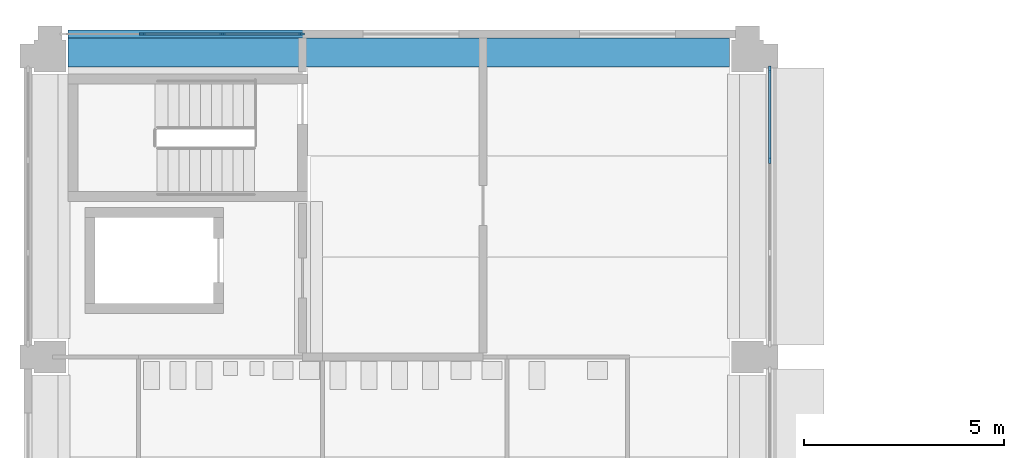
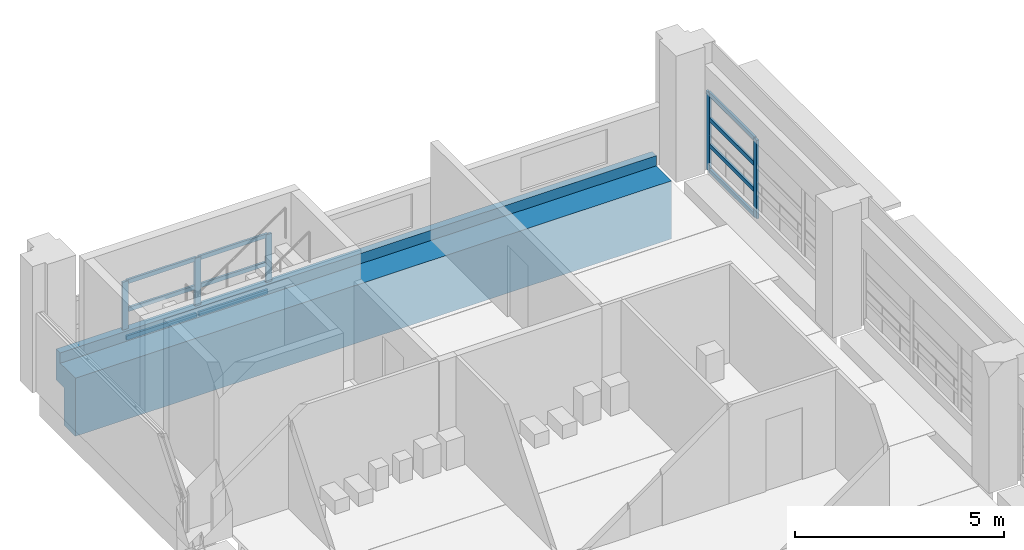
# One storey, part 13 of 61: 15 members, 1 beam, 2 elements without a shape of their own.
"""IFC4 building model written with IfcOpenShell, lengths in metres."""

import ifcopenshell
import ifcopenshell.guid

model = None  # the IFC model being written
_history = None  # IfcOwnerHistory: only IFC2X3 demands one
_inside = {}  # id of a spatial element -> (the spatial element, [elements in it])
_under = {}  # id of a project, library or spatial element -> (it, [spatial elements below it])
_declared = {}  # id of a project -> (the project, [libraries it declares])
_typed = {}  # id of a type object -> (the type object, [elements of that type])
_made_of = {}  # id of a material, layer set ... -> (it, [elements and type objects made of it])


def new_model(schema):
    """Start an empty IFC model of exactly this schema.

    Asked for "IFC4X3", IfcOpenShell would pick the latest addendum, in which some entities
    have other attributes; the version numbers below select the first issue.
    IFC2X3 requires an IfcOwnerHistory on every rooted entity: one is made here for all.
    """
    global model, _history
    if schema == "IFC4X3":
        model = ifcopenshell.file(schema_version=(4, 3, 0, 0))
    else:
        model = ifcopenshell.file(schema=schema)
    _inside.clear()
    _under.clear()
    _declared.clear()
    _typed.clear()
    _made_of.clear()
    _history = None
    if model.schema == "IFC2X3":
        org = make("IfcOrganization", Name="unknown")
        user = make(
            "IfcPersonAndOrganization",
            ThePerson=make("IfcPerson", FamilyName="unknown"),
            TheOrganization=org,
        )
        app = make(
            "IfcApplication",
            ApplicationDeveloper=org,
            Version="unknown",
            ApplicationFullName="unknown",
            ApplicationIdentifier="unknown",
        )
        _history = make(
            "IfcOwnerHistory",
            OwningUser=user,
            OwningApplication=app,
            ChangeAction="ADDED",
            CreationDate=0,
        )
    return model


def make(cls, **values):
    """One entity of the class cls with the attributes given. An attribute that is None is left unset."""
    return model.create_entity(
        cls, **{name: value for name, value in values.items() if value is not None}
    )


def rooted(cls, **values):
    """An entity with a GlobalId (a new one), such as an element, a storey or a relation."""
    return make(cls, GlobalId=ifcopenshell.guid.new(), OwnerHistory=_history, **values)


def si_unit(unit_type, name, prefix=None):
    """IfcSIUnit, for example si_unit("LENGTHUNIT", "METRE", prefix="MILLI")."""
    return make("IfcSIUnit", UnitType=unit_type, Prefix=prefix, Name=name)


def assignment(units):
    """IfcUnitAssignment: the units of a project."""
    return None if units is None else make("IfcUnitAssignment", Units=units)


def point(xyz):
    """IfcCartesianPoint."""
    return None if xyz is None else make("IfcCartesianPoint", Coordinates=xyz)


def direction(xyz):
    """IfcDirection."""
    return None if xyz is None else make("IfcDirection", DirectionRatios=xyz)


def frame(location, z_axis=None, x_axis=None):
    """IfcAxis2Placement3D, a coordinate frame: its origin and axes. An axis left out is left unset."""
    return make(
        "IfcAxis2Placement3D",
        Location=point(location),
        Axis=direction(z_axis),
        RefDirection=direction(x_axis),
    )


def frame_2d(location, x_axis=None):
    """IfcAxis2Placement2D, a coordinate frame in the plane: its origin and x axis."""
    return make(
        "IfcAxis2Placement2D", Location=point(location), RefDirection=direction(x_axis)
    )


def origin():
    """The frame at (0, 0, 0) with its axes left unset."""
    return frame((0.0, 0.0, 0.0))


def origin_2d():
    """The frame at (0, 0) in the plane with its x axis left unset."""
    return frame_2d((0.0, 0.0))


def place(relative_to, where):
    """IfcLocalPlacement: puts the frame where relative to a parent placement (None: the world)."""
    return make(
        "IfcLocalPlacement", PlacementRelTo=relative_to, RelativePlacement=where
    )


def context(
    kind, dimensions, precision=None, world=None, true_north=None, identifier=None
):
    """IfcGeometricRepresentationContext, for example the 3D "Model" context."""
    return make(
        "IfcGeometricRepresentationContext",
        ContextIdentifier=identifier,
        ContextType=kind,
        CoordinateSpaceDimension=dimensions,
        Precision=precision,
        WorldCoordinateSystem=world,
        TrueNorth=true_north,
    )


def subcontext(parent, identifier, kind, view, scale=None):
    """IfcGeometricRepresentationSubContext, for example "Body" below "Model"."""
    return make(
        "IfcGeometricRepresentationSubContext",
        ContextIdentifier=identifier,
        ContextType=kind,
        ParentContext=parent,
        TargetScale=scale,
        TargetView=view,
    )


def project(units=None, contexts=None):
    """IfcProject with its units and contexts."""
    return rooted(
        "IfcProject",
        Name="project",
        RepresentationContexts=contexts,
        UnitsInContext=assignment(units),
    )


def spatial(cls, under=None, at=None, **own):
    """A site, building, storey or space (cls), placed at a placement, below another one or the project."""
    s = rooted(cls, ObjectPlacement=at, **own)
    if under is not None:
        _under.setdefault(under.id(), (under, []))[1].append(s)
    return s


def polyline(points):
    """IfcPolyline through the points."""
    return make("IfcPolyline", Points=[point(p) for p in points])


def profile(cls, at=None, kind="AREA", **sizes):
    """A parametric profile (cls). Its sizes go by their IFC names, for example OverallWidth=200.0."""
    return make(cls, ProfileType=kind, Position=at, **sizes)


def rectangle(**sizes):
    """IfcRectangleProfileDef."""
    return profile("IfcRectangleProfileDef", **sizes)


def outline(outer, holes=None, kind="AREA"):
    """IfcArbitraryClosedProfileDef: a profile drawn as a closed curve; with holes, ...WithVoids."""
    if holes is None:
        return make("IfcArbitraryClosedProfileDef", ProfileType=kind, OuterCurve=outer)
    return make(
        "IfcArbitraryProfileDefWithVoids",
        ProfileType=kind,
        OuterCurve=outer,
        InnerCurves=holes,
    )


def extrude(swept, where, along, depth):
    """IfcExtrudedAreaSolid: the profile swept, set in the frame where, extruded along a direction by depth."""
    return make(
        "IfcExtrudedAreaSolid",
        SweptArea=swept,
        Position=where,
        ExtrudedDirection=direction(along),
        Depth=depth,
    )


def shape(context_of_items, identifier, shape_type, items):
    """IfcShapeRepresentation: the items that make up one representation, for example the "Body"."""
    return make(
        "IfcShapeRepresentation",
        ContextOfItems=context_of_items,
        RepresentationIdentifier=identifier,
        RepresentationType=shape_type,
        Items=items,
    )


def material(Name=None, Category=None):
    """IfcMaterial."""
    return make("IfcMaterial", Name=Name, Category=Category)


def layer(
    of_material, thickness, ventilated=None, Name=None, Category=None, Priority=None
):
    """IfcMaterialLayer: one layer of a wall or slab, of a material (None: an air gap)."""
    return make(
        "IfcMaterialLayer",
        Material=of_material,
        LayerThickness=thickness,
        IsVentilated=ventilated,
        Name=Name,
        Category=Category,
        Priority=Priority,
    )


def layer_set(layers, Name=None):
    """IfcMaterialLayerSet."""
    return make("IfcMaterialLayerSet", MaterialLayers=layers, LayerSetName=Name)


def material_profile(
    of_material, cross_section, Name=None, Category=None, Priority=None
):
    """IfcMaterialProfile: a cross section and its material."""
    return make(
        "IfcMaterialProfile",
        Name=Name,
        Material=of_material,
        Profile=cross_section,
        Priority=Priority,
        Category=Category,
    )


def profile_set(profiles, Name=None, composite=None):
    """IfcMaterialProfileSet."""
    return make(
        "IfcMaterialProfileSet",
        Name=Name,
        MaterialProfiles=profiles,
        CompositeProfile=composite,
    )


def made_of(thing, what):
    """Note that an element or type object is made of a material, layer set ...; save() writes the relation."""
    if what is not None:
        _made_of.setdefault(what.id(), (what, []))[1].append(thing)
    return thing


def type_object(cls, material=None, **own):
    """A type object (cls), such as IfcWallType, which elements share."""
    return made_of(rooted(cls, **own), material)


def element(
    cls,
    number,
    at=None,
    inside=None,
    cuts=None,
    type_object=None,
    material=None,
    context=None,
    identifier="Body",
    shape_type=None,
    held_by="IfcProductDefinitionShape",
    body=None,
    shapes=None,
    **own,
):
    """One element of the class cls, such as IfcWall. Its Tag is "e" and its number.

    at: its placement. inside: the storey or other place that contains it. cuts: it is an
    opening in that element (IfcRelVoidsElement). A single representation is given by context,
    identifier, shape_type and body (its items); several are given by shapes. held_by: the class
    of the entity that holds the representations. save() writes the other relations.
    """
    e = rooted(cls, Tag="e%d" % number, ObjectPlacement=at, **own)
    if body is not None:
        shapes = [shape(context, identifier, shape_type, body)]
    if shapes is not None:
        e.Representation = make(held_by, Representations=shapes)
    if inside is not None:
        _inside.setdefault(inside.id(), (inside, []))[1].append(e)
    if cuts is not None:
        rooted(
            "IfcRelVoidsElement", RelatingBuildingElement=cuts, RelatedOpeningElement=e
        )
    if type_object is not None:
        _typed.setdefault(type_object.id(), (type_object, []))[1].append(e)
    return made_of(e, material)


def aggregate(whole, parts):
    """IfcRelAggregates: a whole, such as a stair, and the parts it consists of."""
    return rooted("IfcRelAggregates", RelatingObject=whole, RelatedObjects=parts)


def save(model, path):
    """Write the relations noted so far, then the file.

    IfcRelAggregates (storeys below a building ...), IfcRelContainedInSpatialStructure (elements
    in a storey), IfcRelDefinesByType, IfcRelAssociatesMaterial and IfcRelDeclares: one each for
    every whole, place, type object, material and project.
    """
    for whole, parts in _under.values():
        aggregate(whole, parts)
    for where, things in _inside.values():
        rooted(
            "IfcRelContainedInSpatialStructure",
            RelatedElements=things,
            RelatingStructure=where,
        )
    for kind, things in _typed.values():
        rooted("IfcRelDefinesByType", RelatedObjects=things, RelatingType=kind)
    for what, things in _made_of.values():
        rooted("IfcRelAssociatesMaterial", RelatedObjects=things, RelatingMaterial=what)
    for by, libraries in _declared.values():
        rooted("IfcRelDeclares", RelatingContext=by, RelatedDefinitions=libraries)
    model.write(path)


model = new_model("IFC4")

# Units and contexts
model_context = context("Model", 3, precision=1e-05, world=origin(), true_north=direction((0.0, 1.0)))
body_context = subcontext(model_context, "Body", "Model", "MODEL_VIEW")
ifc_project = project(units=[si_unit("LENGTHUNIT", "METRE"), si_unit("AREAUNIT", "SQUARE_METRE"), si_unit("VOLUMEUNIT", "CUBIC_METRE"), si_unit("PLANEANGLEUNIT", "RADIAN"), si_unit("MASSUNIT", "GRAM", prefix="KILO")], contexts=[model_context])

# Site, building, storey
site_placement = place(None, origin())
site = spatial("IfcSite", under=ifc_project, at=site_placement, CompositionType="ELEMENT")
building_placement = place(site_placement, origin())
building = spatial("IfcBuilding", under=site, at=building_placement, Name="Cour d'Honneur Mobility Palace", CompositionType="ELEMENT")
storey_placement = place(building_placement, frame((0.0, 0.0, 11.89990234375)))
storey = spatial("IfcBuildingStorey", under=building, at=storey_placement, Name="L03", CompositionType="ELEMENT", Elevation=11.89990234375)

# Curtain wall, members
ifc_material_1 = material(Name="Aluminium and glass", Category="aluminium")
ifc_layer = layer(ifc_material_1, 0.10009765625)
ifc_layer_set = layer_set([ifc_layer], Name="Aluminium and glass")
curtain_wall_type = type_object("IfcCurtainWallType", Name="Curtain wall run", PredefinedType="NOTDEFINED", material=ifc_layer_set)
curtain_wall_1_placement = place(storey_placement, origin())
curtain_wall_1 = element("IfcCurtainWall", 1, at=curtain_wall_1_placement, inside=storey, type_object=curtain_wall_type, Name="Curtain wall CW-36", PredefinedType="NOTDEFINED")
ifc_material_2 = material(Name="Aluminium", Category="aluminium")
ifc_material_profile_1 = material_profile(ifc_material_2, rectangle(XDim=0.06005859375, YDim=0.159912109375, at=origin_2d()), Name="Curtain wall mullion")
ifc_profile_set_1 = profile_set([ifc_material_profile_1], Name="Aluminium")
member_type_1 = type_object("IfcMemberType", Name="Curtain wall mullion", PredefinedType="MULLION", material=ifc_profile_set_1)
member_1_placement = place(storey_placement, frame((17.949951171875, 112.300048828125, 0.0), z_axis=(0.0, 0.0, 1.0), x_axis=(-1.0, 0.0, 0.0)))
member_1 = element("IfcMember", 2, at=member_1_placement, type_object=member_type_1, Name="CW-36 mullion 3", PredefinedType="MULLION", context=body_context, shape_type="SweptSolid", body=[
    extrude(rectangle(XDim=0.06005859375, YDim=0.159912109375, at=origin_2d()), origin(), (0.0, 0.0, 1.0), 2.300048828125),
])
member_2_placement = place(storey_placement, frame((17.949951171875, 114.570068359375, 0.0), z_axis=(0.0, 0.0, 1.0), x_axis=(-1.0, 0.0, 0.0)))
member_2 = element("IfcMember", 3, at=member_2_placement, type_object=member_type_1, Name="CW-36 mullion 4", PredefinedType="MULLION", context=body_context, shape_type="SweptSolid", body=[
    extrude(rectangle(XDim=0.06005859375, YDim=0.159912109375, at=origin_2d()), origin(), (0.0, 0.0, 1.0), 2.300048828125),
])

curtain_wall_2_placement = place(storey_placement, origin())
curtain_wall_2 = element("IfcCurtainWall", 4, at=curtain_wall_2_placement, inside=storey, type_object=curtain_wall_type, Name="Curtain wall CW-128", PredefinedType="NOTDEFINED")
member_3_placement = place(storey_placement, frame((6.27001953125, 115.449951171875, 0.0), z_axis=(0.0, 0.0, 1.0), x_axis=(0.0, -1.0, 0.0)))
member_3 = element("IfcMember", 5, at=member_3_placement, type_object=member_type_1, Name="CW-128 mullion 1", PredefinedType="MULLION", context=body_context, shape_type="SweptSolid", body=[
    extrude(rectangle(XDim=0.06005859375, YDim=0.159912109375, at=origin_2d()), origin(), (0.0, 0.0, 1.0), 1.7001953125),
])
member_4_placement = place(storey_placement, frame((4.300048828125, 115.449951171875, 0.0), z_axis=(0.0, 0.0, 1.0), x_axis=(0.0, -1.0, 0.0)))
member_4 = element("IfcMember", 6, at=member_4_placement, type_object=member_type_1, Name="CW-128 mullion 2", PredefinedType="MULLION", context=body_context, shape_type="SweptSolid", body=[
    extrude(rectangle(XDim=0.06005859375, YDim=0.159912109375, at=origin_2d()), origin(), (0.0, 0.0, 1.0), 1.7001953125),
])
member_5_placement = place(storey_placement, frame((2.300048828125, 115.449951171875, 0.0), z_axis=(0.0, 0.0, 1.0), x_axis=(0.0, -1.0, 0.0)))
member_5 = element("IfcMember", 7, at=member_5_placement, type_object=member_type_1, Name="CW-128 mullion 3", PredefinedType="MULLION", context=body_context, shape_type="SweptSolid", body=[
    extrude(rectangle(XDim=0.06005859375, YDim=0.159912109375, at=origin_2d()), origin(), (0.0, 0.0, 1.0), 1.7001953125),
])

# Member
ifc_material_3 = material(Name="Aluminium", Category="aluminium")
ifc_material_profile_2 = material_profile(ifc_material_3, rectangle(XDim=0.06005859375, YDim=0.1201171875, at=origin_2d()), Name="Curtain wall transom")
ifc_profile_set_2 = profile_set([ifc_material_profile_2], Name="Aluminium")
member_type_2 = type_object("IfcMemberType", Name="Curtain wall transom", PredefinedType="USERDEFINED", material=ifc_profile_set_2)
member_6_placement = place(storey_placement, frame((17.949951171875, 112.330078125, 0.030029296875), z_axis=(0.0, 1.0, 0.0), x_axis=(-1.0, 0.0, 0.0)))
member_6 = element("IfcMember", 8, at=member_6_placement, type_object=member_type_2, Name="CW-36 transom 3.1", ObjectType="TRANSOM", PredefinedType="USERDEFINED", context=body_context, shape_type="SweptSolid", body=[
    extrude(rectangle(XDim=0.06005859375, YDim=0.1201171875, at=origin_2d()), origin(), (0.0, 0.0, 1.0), 2.2099609375),
])

member_7_placement = place(storey_placement, frame((17.949951171875, 112.330078125, 0.766845703125), z_axis=(0.0, 1.0, 0.0), x_axis=(-1.0, 0.0, 0.0)))
member_7 = element("IfcMember", 9, at=member_7_placement, type_object=member_type_2, Name="CW-36 transom 3.2", ObjectType="TRANSOM", PredefinedType="USERDEFINED", context=body_context, shape_type="SweptSolid", body=[
    extrude(rectangle(XDim=0.06005859375, YDim=0.1201171875, at=origin_2d()), origin(), (0.0, 0.0, 1.0), 2.2099609375),
])

member_8_placement = place(storey_placement, frame((17.949951171875, 112.330078125, 1.533447265625), z_axis=(0.0, 1.0, 0.0), x_axis=(-1.0, 0.0, 0.0)))
member_8 = element("IfcMember", 10, at=member_8_placement, type_object=member_type_2, Name="CW-36 transom 3.3", ObjectType="TRANSOM", PredefinedType="USERDEFINED", context=body_context, shape_type="SweptSolid", body=[
    extrude(rectangle(XDim=0.06005859375, YDim=0.1201171875, at=origin_2d()), origin(), (0.0, 0.0, 1.0), 2.2099609375),
])

member_9_placement = place(storey_placement, frame((17.949951171875, 112.330078125, 2.27001953125), z_axis=(0.0, 1.0, 0.0), x_axis=(-1.0, 0.0, 0.0)))
member_9 = element("IfcMember", 11, at=member_9_placement, type_object=member_type_2, Name="CW-36 transom 3.4", ObjectType="TRANSOM", PredefinedType="USERDEFINED", context=body_context, shape_type="SweptSolid", body=[
    extrude(rectangle(XDim=0.06005859375, YDim=0.1201171875, at=origin_2d()), origin(), (0.0, 0.0, 1.0), 2.2099609375),
])

aggregate(curtain_wall_1, [member_1, member_2, member_6, member_7, member_8, member_9])

member_10_placement = place(storey_placement, frame((6.239990234375, 115.449951171875, 0.030029296875), z_axis=(-1.0, 0.0, 0.0), x_axis=(0.0, -1.0, 0.0)))
member_10 = element("IfcMember", 12, at=member_10_placement, type_object=member_type_2, Name="CW-128 transom 1.1", ObjectType="TRANSOM", PredefinedType="USERDEFINED", context=body_context, shape_type="SweptSolid", body=[
    extrude(rectangle(XDim=0.06005859375, YDim=0.1201171875, at=origin_2d()), origin(), (0.0, 0.0, 1.0), 1.909912109375),
])

member_11_placement = place(storey_placement, frame((6.239990234375, 115.449951171875, 0.85009765625), z_axis=(-1.0, 0.0, 0.0), x_axis=(0.0, -1.0, 0.0)))
member_11 = element("IfcMember", 13, at=member_11_placement, type_object=member_type_2, Name="CW-128 transom 1.2", ObjectType="TRANSOM", PredefinedType="USERDEFINED", context=body_context, shape_type="SweptSolid", body=[
    extrude(rectangle(XDim=0.06005859375, YDim=0.1201171875, at=origin_2d()), origin(), (0.0, 0.0, 1.0), 1.909912109375),
])

member_12_placement = place(storey_placement, frame((6.239990234375, 115.449951171875, 1.670166015625), z_axis=(-1.0, 0.0, 0.0), x_axis=(0.0, -1.0, 0.0)))
member_12 = element("IfcMember", 14, at=member_12_placement, type_object=member_type_2, Name="CW-128 transom 1.3", ObjectType="TRANSOM", PredefinedType="USERDEFINED", context=body_context, shape_type="SweptSolid", body=[
    extrude(rectangle(XDim=0.06005859375, YDim=0.1201171875, at=origin_2d()), origin(), (0.0, 0.0, 1.0), 1.909912109375),
])

member_13_placement = place(storey_placement, frame((4.27001953125, 115.449951171875, 0.030029296875), z_axis=(-1.0, 0.0, 0.0), x_axis=(0.0, -1.0, 0.0)))
member_13 = element("IfcMember", 15, at=member_13_placement, type_object=member_type_2, Name="CW-128 transom 2.1", ObjectType="TRANSOM", PredefinedType="USERDEFINED", context=body_context, shape_type="SweptSolid", body=[
    extrude(rectangle(XDim=0.06005859375, YDim=0.1201171875, at=origin_2d()), origin(), (0.0, 0.0, 1.0), 1.93994140625),
])

member_14_placement = place(storey_placement, frame((4.27001953125, 115.449951171875, 0.85009765625), z_axis=(-1.0, 0.0, 0.0), x_axis=(0.0, -1.0, 0.0)))
member_14 = element("IfcMember", 16, at=member_14_placement, type_object=member_type_2, Name="CW-128 transom 2.2", ObjectType="TRANSOM", PredefinedType="USERDEFINED", context=body_context, shape_type="SweptSolid", body=[
    extrude(rectangle(XDim=0.06005859375, YDim=0.1201171875, at=origin_2d()), origin(), (0.0, 0.0, 1.0), 1.93994140625),
])

member_15_placement = place(storey_placement, frame((4.27001953125, 115.449951171875, 1.670166015625), z_axis=(-1.0, 0.0, 0.0), x_axis=(0.0, -1.0, 0.0)))
member_15 = element("IfcMember", 17, at=member_15_placement, type_object=member_type_2, Name="CW-128 transom 2.3", ObjectType="TRANSOM", PredefinedType="USERDEFINED", context=body_context, shape_type="SweptSolid", body=[
    extrude(rectangle(XDim=0.06005859375, YDim=0.1201171875, at=origin_2d()), origin(), (0.0, 0.0, 1.0), 1.93994140625),
])

aggregate(curtain_wall_2, [member_3, member_4, member_5, member_10, member_11, member_12, member_13, member_14, member_15])

# Beam
ifc_material_4 = material(Name="Concrete C45", Category="concrete")
ifc_material_profile_3 = material_profile(ifc_material_4, outline(polyline([(0.27490234375, -1.699951171875), (0.27490234375, -0.60009765625), (0.64990234375, -0.60009765625), (0.64990234375, 0.300048828125), (0.449951171875, 0.300048828125), (0.449951171875, 0.0), (0.27490234375, 0.0), (-0.27490234375, 0.0), (-0.27490234375, -1.699951171875), (0.27490234375, -1.699951171875)])), Name="Edge Spandrel Beam 550x1700 no ledge facade left")
ifc_profile_set_3 = profile_set([ifc_material_profile_3], Name="Concrete C45")
beam_type = type_object("IfcBeamType", Name="Edge Spandrel Beam 550x1700 no ledge facade left", PredefinedType="SPANDREL", material=ifc_profile_set_3)
beam_placement = place(storey_placement, frame((0.449951171875, 114.89990234375, 0.0), z_axis=(1.0, 0.0, 0.0), x_axis=(0.0, 1.0, 0.0)))
element("IfcBeam", 18, at=beam_placement, inside=storey, type_object=beam_type, Name="Precast beam B7 1-2 L03", PredefinedType="SPANDREL", context=body_context, shape_type="SweptSolid", body=[
    extrude(outline(polyline([(0.27490234375, -1.699951171875), (0.27490234375, -0.60009765625), (0.64990234375, -0.60009765625), (0.64990234375, 0.300048828125), (0.449951171875, 0.300048828125), (0.449951171875, 0.0), (0.27490234375, 0.0), (-0.27490234375, 0.0), (-0.27490234375, -1.699951171875), (0.27490234375, -1.699951171875)])), origin(), (0.0, 0.0, 1.0), 16.5),
])

save(model, "model.ifc")
